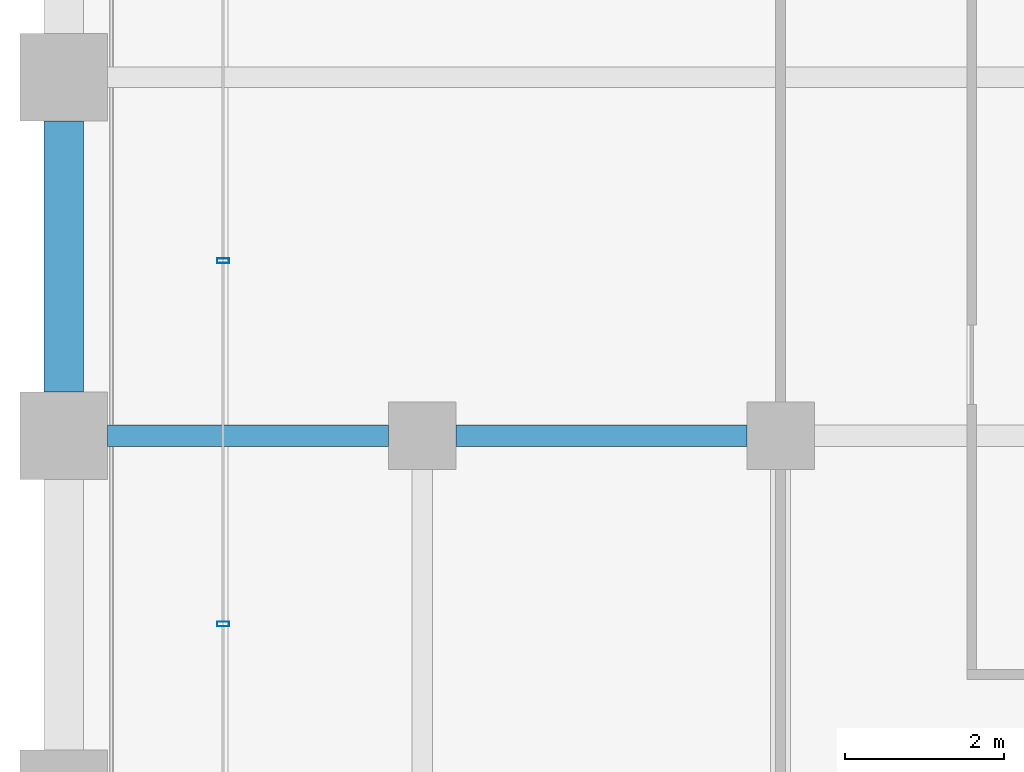
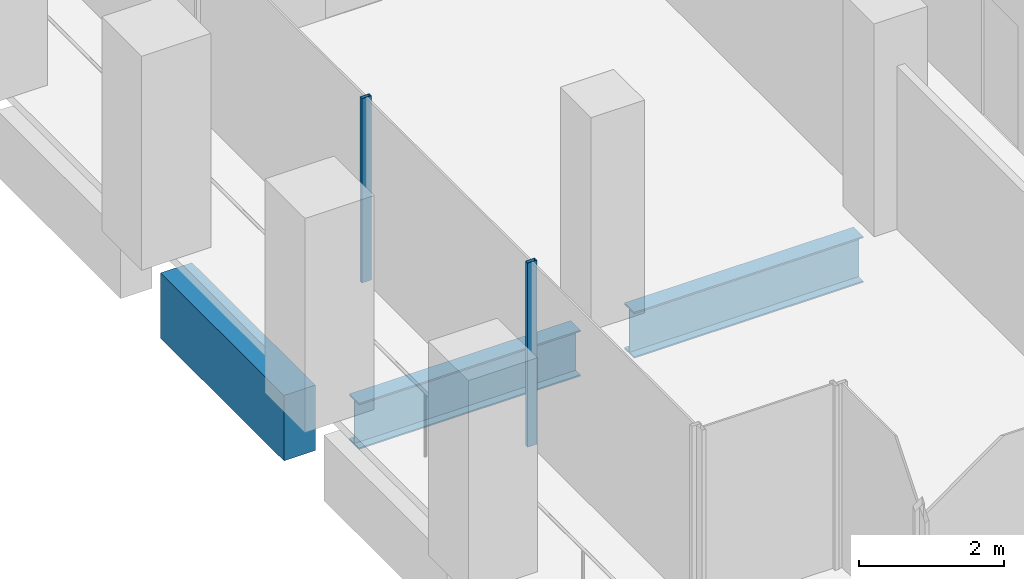
# One storey, part 5 of 54: 3 beams, 2 members, 1 element without a shape of its own.
"""IFC4 building model written with IfcOpenShell, lengths in metres."""

from ifc_helpers import new_model, si_unit, direction, frame, origin, origin_2d, place, context, subcontext, project, spatial, rectangle, hollow_rectangle, i_section, extrude, material, material_profile, profile_set, type_object, element, aggregate, save


model = new_model("IFC4")

# Units and contexts
model_context = context("Model", 3, precision=1e-05, world=origin(), true_north=direction((0.0, 1.0)))
body_context = subcontext(model_context, "Body", "Model", "MODEL_VIEW")
ifc_project = project(units=[si_unit("LENGTHUNIT", "METRE"), si_unit("AREAUNIT", "SQUARE_METRE"), si_unit("VOLUMEUNIT", "CUBIC_METRE"), si_unit("PLANEANGLEUNIT", "RADIAN"), si_unit("MASSUNIT", "GRAM", prefix="KILO")], contexts=[model_context])

# Site, building, storey
site_placement = place(None, origin())
site = spatial("IfcSite", under=ifc_project, at=site_placement, CompositionType="ELEMENT")
building_placement = place(site_placement, origin())
building = spatial("IfcBuilding", under=site, at=building_placement, Name="Altepetl Exchange Towers", CompositionType="ELEMENT")
storey_placement = place(building_placement, frame((0.0, 0.0, 61.800048828125)))
storey = spatial("IfcBuildingStorey", under=building, at=storey_placement, Name="L14", CompositionType="ELEMENT", Elevation=61.800048828125)

# Beams
ifc_material_1 = material(Name="Steel S355", Category="steel")
ifc_material_profile_1 = material_profile(ifc_material_1, i_section(OverallWidth=0.26806640625, OverallDepth=0.77392578125, WebThickness=0.015380859375, FlangeThickness=0.025390625, at=origin_2d()), Name="W30X132")
ifc_profile_set_1 = profile_set([ifc_material_profile_1], Name="Steel S355")
beam_type_1 = type_object("IfcBeamType", Name="Girder W30X132", PredefinedType="BEAM", material=ifc_profile_set_1)
beam_1_placement = place(storey_placement, frame((35.574951171875, 40.5, -0.537109375), z_axis=(-1.0, 0.0, 0.0), x_axis=(0.0, -1.0, 0.0)))
element("IfcBeam", 1, at=beam_1_placement, inside=storey, type_object=beam_type_1, Name="gd:A:L14:010", PredefinedType="BEAM", context=body_context, shape_type="SweptSolid", body=[
    extrude(i_section(OverallWidth=0.26806640625, OverallDepth=0.77392578125, WebThickness=0.015380859375, FlangeThickness=0.025390625, at=origin_2d()), origin(), (0.0, 0.0, 1.0), 3.64990234375),
])
beam_2_placement = place(storey_placement, frame((31.074951171875, 40.5, -0.537109375), z_axis=(-1.0, 0.0, 0.0), x_axis=(0.0, -1.0, 0.0)))
element("IfcBeam", 2, at=beam_2_placement, inside=storey, type_object=beam_type_1, Name="gd:A:L14:011", PredefinedType="BEAM", context=body_context, shape_type="SweptSolid", body=[
    extrude(i_section(OverallWidth=0.26806640625, OverallDepth=0.77392578125, WebThickness=0.015380859375, FlangeThickness=0.025390625, at=origin_2d()), origin(), (0.0, 0.0, 1.0), 3.52490234375),
])

# Curtain wall, members
ifc_material_2 = material(Name="Aluminium 6063-T6 glazing", Category="aluminium")
curtain_wall_type = type_object("IfcCurtainWallType", Name="Loggia glazing system", PredefinedType="NOTDEFINED", material=ifc_material_2)
curtain_wall_placement = place(storey_placement, origin())
curtain_wall = element("IfcCurtainWall", 3, at=curtain_wall_placement, inside=storey, type_object=curtain_wall_type, Name="CW1 run", PredefinedType="NOTDEFINED")
ifc_material_3 = material(Name="Aluminium 6063-T6", Category="aluminium")
ifc_material_profile_2 = material_profile(ifc_material_3, hollow_rectangle(XDim=0.06005859375, YDim=0.14990234375, WallThickness=0.0029296875, at=origin_2d()), Name="Mullion 60x150 aluminium")
ifc_profile_set_2 = profile_set([ifc_material_profile_2], Name="Aluminium 6063-T6")
member_type = type_object("IfcMemberType", Name="Mullion 60x150 aluminium", PredefinedType="MULLION", material=ifc_profile_set_2)
member_1_placement = place(storey_placement, frame((29.0, 42.696533203125, 0.0), z_axis=(0.0, 0.0, 1.0), x_axis=(0.0, -1.0, 0.0)))
member_1 = element("IfcMember", 4, at=member_1_placement, type_object=member_type, Name="MU1 mullion", PredefinedType="MULLION", context=body_context, shape_type="SweptSolid", body=[
    extrude(hollow_rectangle(XDim=0.06005859375, YDim=0.14990234375, WallThickness=0.0029296875, at=origin_2d()), origin(), (0.0, 0.0, 1.0), 3.099853515625),
])
member_2_placement = place(storey_placement, frame((29.0, 38.1357421875, 0.0), z_axis=(0.0, 0.0, 1.0), x_axis=(0.0, -1.0, 0.0)))
member_2 = element("IfcMember", 5, at=member_2_placement, type_object=member_type, Name="MU1 mullion", PredefinedType="MULLION", context=body_context, shape_type="SweptSolid", body=[
    extrude(hollow_rectangle(XDim=0.06005859375, YDim=0.14990234375, WallThickness=0.0029296875, at=origin_2d()), origin(), (0.0, 0.0, 1.0), 3.099853515625),
])
aggregate(curtain_wall, [member_1, member_2])

# Beam
ifc_material_4 = material(Name="Concrete C50/60 precast with tezontle facing", Category="concrete")
ifc_material_profile_3 = material_profile(ifc_material_4, rectangle(XDim=0.5, YDim=1.10009765625, at=origin_2d()), Name="500 x 1100")
ifc_profile_set_3 = profile_set([ifc_material_profile_3], Name="Concrete C50/60 precast with tezontle facing")
beam_type_2 = type_object("IfcBeamType", Name="Spandrel beam 500x1100 tezontle", PredefinedType="SPANDREL", material=ifc_profile_set_3)
beam_3_placement = place(storey_placement, frame((27.0, 44.449951171875, -0.699951171875), z_axis=(0.0, -1.0, 0.0), x_axis=(1.0, 0.0, 0.0)))
element("IfcBeam", 6, at=beam_3_placement, inside=storey, type_object=beam_type_2, Name="sp:A:L14:041", PredefinedType="SPANDREL", context=body_context, shape_type="SweptSolid", body=[
    extrude(rectangle(XDim=0.5, YDim=1.10009765625, at=origin_2d()), origin(), (0.0, 0.0, 1.0), 3.39990234375),
])

save(model, "model.ifc")
